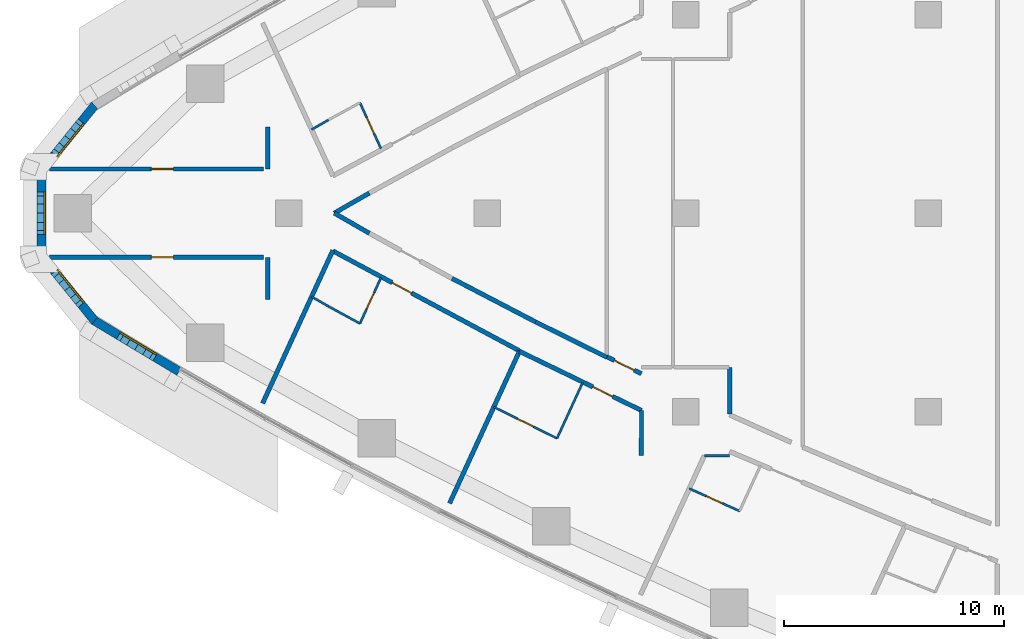
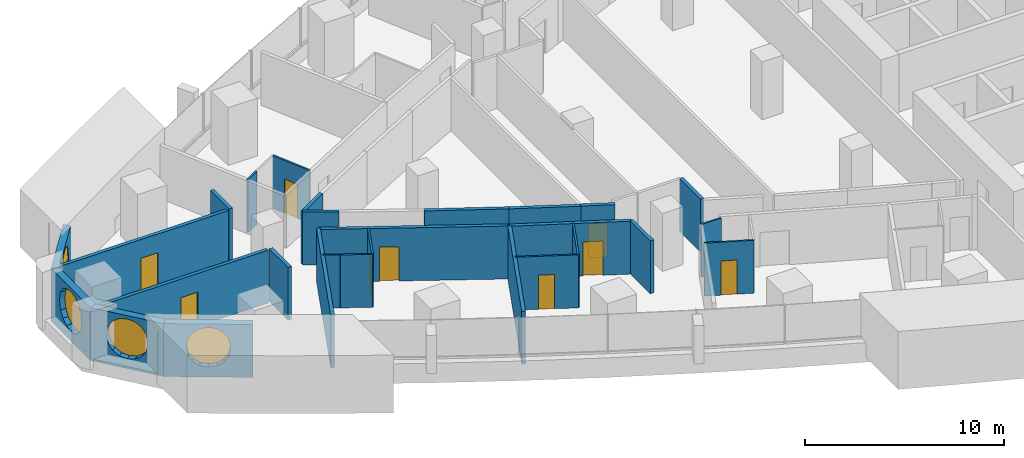
# One storey, part 8 of 17: 28 walls, 9 doors, 4 windows, 13 openings.
"""IFC4 building model written with IfcOpenShell, lengths in metres."""

import ifcopenshell
import ifcopenshell.guid

model = None  # the IFC model being written
_history = None  # IfcOwnerHistory: only IFC2X3 demands one
_inside = {}  # id of a spatial element -> (the spatial element, [elements in it])
_under = {}  # id of a project, library or spatial element -> (it, [spatial elements below it])
_declared = {}  # id of a project -> (the project, [libraries it declares])
_typed = {}  # id of a type object -> (the type object, [elements of that type])
_made_of = {}  # id of a material, layer set ... -> (it, [elements and type objects made of it])


def new_model(schema):
    """Start an empty IFC model of exactly this schema.

    Asked for "IFC4X3", IfcOpenShell would pick the latest addendum, in which some entities
    have other attributes; the version numbers below select the first issue.
    IFC2X3 requires an IfcOwnerHistory on every rooted entity: one is made here for all.
    """
    global model, _history
    if schema == "IFC4X3":
        model = ifcopenshell.file(schema_version=(4, 3, 0, 0))
    else:
        model = ifcopenshell.file(schema=schema)
    _inside.clear()
    _under.clear()
    _declared.clear()
    _typed.clear()
    _made_of.clear()
    _history = None
    if model.schema == "IFC2X3":
        org = make("IfcOrganization", Name="unknown")
        user = make(
            "IfcPersonAndOrganization",
            ThePerson=make("IfcPerson", FamilyName="unknown"),
            TheOrganization=org,
        )
        app = make(
            "IfcApplication",
            ApplicationDeveloper=org,
            Version="unknown",
            ApplicationFullName="unknown",
            ApplicationIdentifier="unknown",
        )
        _history = make(
            "IfcOwnerHistory",
            OwningUser=user,
            OwningApplication=app,
            ChangeAction="ADDED",
            CreationDate=0,
        )
    return model


def make(cls, **values):
    """One entity of the class cls with the attributes given. An attribute that is None is left unset."""
    return model.create_entity(
        cls, **{name: value for name, value in values.items() if value is not None}
    )


def rooted(cls, **values):
    """An entity with a GlobalId (a new one), such as an element, a storey or a relation."""
    return make(cls, GlobalId=ifcopenshell.guid.new(), OwnerHistory=_history, **values)


def si_unit(unit_type, name, prefix=None):
    """IfcSIUnit, for example si_unit("LENGTHUNIT", "METRE", prefix="MILLI")."""
    return make("IfcSIUnit", UnitType=unit_type, Prefix=prefix, Name=name)


def assignment(units):
    """IfcUnitAssignment: the units of a project."""
    return None if units is None else make("IfcUnitAssignment", Units=units)


def point(xyz):
    """IfcCartesianPoint."""
    return None if xyz is None else make("IfcCartesianPoint", Coordinates=xyz)


def direction(xyz):
    """IfcDirection."""
    return None if xyz is None else make("IfcDirection", DirectionRatios=xyz)


def frame(location, z_axis=None, x_axis=None):
    """IfcAxis2Placement3D, a coordinate frame: its origin and axes. An axis left out is left unset."""
    return make(
        "IfcAxis2Placement3D",
        Location=point(location),
        Axis=direction(z_axis),
        RefDirection=direction(x_axis),
    )


def frame_2d(location, x_axis=None):
    """IfcAxis2Placement2D, a coordinate frame in the plane: its origin and x axis."""
    return make(
        "IfcAxis2Placement2D", Location=point(location), RefDirection=direction(x_axis)
    )


def origin():
    """The frame at (0, 0, 0) with its axes left unset."""
    return frame((0.0, 0.0, 0.0))


def place(relative_to, where):
    """IfcLocalPlacement: puts the frame where relative to a parent placement (None: the world)."""
    return make(
        "IfcLocalPlacement", PlacementRelTo=relative_to, RelativePlacement=where
    )


def context(
    kind, dimensions, precision=None, world=None, true_north=None, identifier=None
):
    """IfcGeometricRepresentationContext, for example the 3D "Model" context."""
    return make(
        "IfcGeometricRepresentationContext",
        ContextIdentifier=identifier,
        ContextType=kind,
        CoordinateSpaceDimension=dimensions,
        Precision=precision,
        WorldCoordinateSystem=world,
        TrueNorth=true_north,
    )


def subcontext(parent, identifier, kind, view, scale=None):
    """IfcGeometricRepresentationSubContext, for example "Body" below "Model"."""
    return make(
        "IfcGeometricRepresentationSubContext",
        ContextIdentifier=identifier,
        ContextType=kind,
        ParentContext=parent,
        TargetScale=scale,
        TargetView=view,
    )


def project(units=None, contexts=None):
    """IfcProject with its units and contexts."""
    return rooted(
        "IfcProject",
        Name="project",
        RepresentationContexts=contexts,
        UnitsInContext=assignment(units),
    )


def spatial(cls, under=None, at=None, **own):
    """A site, building, storey or space (cls), placed at a placement, below another one or the project."""
    s = rooted(cls, ObjectPlacement=at, **own)
    if under is not None:
        _under.setdefault(under.id(), (under, []))[1].append(s)
    return s


def polyline(points):
    """IfcPolyline through the points."""
    return make("IfcPolyline", Points=[point(p) for p in points])


def profile(cls, at=None, kind="AREA", **sizes):
    """A parametric profile (cls). Its sizes go by their IFC names, for example OverallWidth=200.0."""
    return make(cls, ProfileType=kind, Position=at, **sizes)


def rectangle(**sizes):
    """IfcRectangleProfileDef."""
    return profile("IfcRectangleProfileDef", **sizes)


def outline(outer, holes=None, kind="AREA"):
    """IfcArbitraryClosedProfileDef: a profile drawn as a closed curve; with holes, ...WithVoids."""
    if holes is None:
        return make("IfcArbitraryClosedProfileDef", ProfileType=kind, OuterCurve=outer)
    return make(
        "IfcArbitraryProfileDefWithVoids",
        ProfileType=kind,
        OuterCurve=outer,
        InnerCurves=holes,
    )


def extrude(swept, where, along, depth):
    """IfcExtrudedAreaSolid: the profile swept, set in the frame where, extruded along a direction by depth."""
    return make(
        "IfcExtrudedAreaSolid",
        SweptArea=swept,
        Position=where,
        ExtrudedDirection=direction(along),
        Depth=depth,
    )


def shape(context_of_items, identifier, shape_type, items):
    """IfcShapeRepresentation: the items that make up one representation, for example the "Body"."""
    return make(
        "IfcShapeRepresentation",
        ContextOfItems=context_of_items,
        RepresentationIdentifier=identifier,
        RepresentationType=shape_type,
        Items=items,
    )


def material(Name=None, Category=None):
    """IfcMaterial."""
    return make("IfcMaterial", Name=Name, Category=Category)


def layer(
    of_material, thickness, ventilated=None, Name=None, Category=None, Priority=None
):
    """IfcMaterialLayer: one layer of a wall or slab, of a material (None: an air gap)."""
    return make(
        "IfcMaterialLayer",
        Material=of_material,
        LayerThickness=thickness,
        IsVentilated=ventilated,
        Name=Name,
        Category=Category,
        Priority=Priority,
    )


def layer_set(layers, Name=None):
    """IfcMaterialLayerSet."""
    return make("IfcMaterialLayerSet", MaterialLayers=layers, LayerSetName=Name)


def made_of(thing, what):
    """Note that an element or type object is made of a material, layer set ...; save() writes the relation."""
    if what is not None:
        _made_of.setdefault(what.id(), (what, []))[1].append(thing)
    return thing


def type_object(cls, material=None, **own):
    """A type object (cls), such as IfcWallType, which elements share."""
    return made_of(rooted(cls, **own), material)


def element(
    cls,
    number,
    at=None,
    inside=None,
    cuts=None,
    type_object=None,
    material=None,
    context=None,
    identifier="Body",
    shape_type=None,
    held_by="IfcProductDefinitionShape",
    body=None,
    shapes=None,
    **own,
):
    """One element of the class cls, such as IfcWall. Its Tag is "e" and its number.

    at: its placement. inside: the storey or other place that contains it. cuts: it is an
    opening in that element (IfcRelVoidsElement). A single representation is given by context,
    identifier, shape_type and body (its items); several are given by shapes. held_by: the class
    of the entity that holds the representations. save() writes the other relations.
    """
    e = rooted(cls, Tag="e%d" % number, ObjectPlacement=at, **own)
    if body is not None:
        shapes = [shape(context, identifier, shape_type, body)]
    if shapes is not None:
        e.Representation = make(held_by, Representations=shapes)
    if inside is not None:
        _inside.setdefault(inside.id(), (inside, []))[1].append(e)
    if cuts is not None:
        rooted(
            "IfcRelVoidsElement", RelatingBuildingElement=cuts, RelatedOpeningElement=e
        )
    if type_object is not None:
        _typed.setdefault(type_object.id(), (type_object, []))[1].append(e)
    return made_of(e, material)


def fill(opening, filler):
    """IfcRelFillsElement: the door or window that sits in an opening."""
    return rooted(
        "IfcRelFillsElement",
        RelatingOpeningElement=opening,
        RelatedBuildingElement=filler,
    )


def aggregate(whole, parts):
    """IfcRelAggregates: a whole, such as a stair, and the parts it consists of."""
    return rooted("IfcRelAggregates", RelatingObject=whole, RelatedObjects=parts)


def save(model, path):
    """Write the relations noted so far, then the file.

    IfcRelAggregates (storeys below a building ...), IfcRelContainedInSpatialStructure (elements
    in a storey), IfcRelDefinesByType, IfcRelAssociatesMaterial and IfcRelDeclares: one each for
    every whole, place, type object, material and project.
    """
    for whole, parts in _under.values():
        aggregate(whole, parts)
    for where, things in _inside.values():
        rooted(
            "IfcRelContainedInSpatialStructure",
            RelatedElements=things,
            RelatingStructure=where,
        )
    for kind, things in _typed.values():
        rooted("IfcRelDefinesByType", RelatedObjects=things, RelatingType=kind)
    for what, things in _made_of.values():
        rooted("IfcRelAssociatesMaterial", RelatedObjects=things, RelatingMaterial=what)
    for by, libraries in _declared.values():
        rooted("IfcRelDeclares", RelatingContext=by, RelatedDefinitions=libraries)
    model.write(path)


model = new_model("IFC4")

# Units and contexts
model_context = context("Model", 3, precision=1e-05, world=origin(), true_north=direction((0.0, 1.0)))
body_context = subcontext(model_context, "Body", "Model", "MODEL_VIEW")
ifc_project = project(units=[si_unit("LENGTHUNIT", "METRE"), si_unit("AREAUNIT", "SQUARE_METRE"), si_unit("VOLUMEUNIT", "CUBIC_METRE"), si_unit("PLANEANGLEUNIT", "RADIAN"), si_unit("MASSUNIT", "GRAM", prefix="KILO")], contexts=[model_context])

# Site, building, storey
site_placement = place(None, origin())
site = spatial("IfcSite", under=ifc_project, at=site_placement, CompositionType="ELEMENT")
building_placement = place(site_placement, origin())
building = spatial("IfcBuilding", under=site, at=building_placement, Name="Ostrand Prow Hotel Tower", CompositionType="ELEMENT")
storey_placement = place(building_placement, frame((0.0, 0.0, 92.0)))
storey = spatial("IfcBuildingStorey", under=building, at=storey_placement, Name="L21", CompositionType="ELEMENT", Elevation=92.0)

# Wall
ifc_material_1 = material(Name="Plasterboard partition")
ifc_layer_1 = layer(ifc_material_1, 0.10009765625)
ifc_layer_set_1 = layer_set([ifc_layer_1], Name="Plasterboard partition")
wall_type_1 = type_object("IfcWallType", Name="Partition 100 bathroom wall", PredefinedType="PARTITIONING", material=ifc_layer_set_1)
wall_1_placement = place(storey_placement, frame((17.0361328125, 3.7900390625, 0.0), z_axis=(0.0, 0.0, 1.0), x_axis=(0.867629162742, 0.497211862248, 0.0)))
element("IfcWall", 1, at=wall_1_placement, inside=storey, type_object=wall_type_1, Name="BATHROOM WALL", PredefinedType="PARTITIONING", context=body_context, shape_type="SweptSolid", body=[
    extrude(rectangle(XDim=0.8818359375, YDim=0.10009765625, at=frame_2d((0.44091796875, 0.0))), origin(), (0.0, 0.0, 1.0), 3.25),
])

# Wall, opening, door
wall_2_placement = place(storey_placement, frame((19.2275390625, 5.00830078125, 0.0), z_axis=(0.0, 0.0, 1.0), x_axis=(0.417450047292, -0.908699872354, 0.0)))
wall_2 = element("IfcWall", 2, at=wall_2_placement, inside=storey, type_object=wall_type_1, Name="BATHROOM WALL", PredefinedType="PARTITIONING", context=body_context, shape_type="SweptSolid", body=[
    extrude(rectangle(XDim=2.28271484375, YDim=0.10009765625, at=frame_2d((1.141357421875, 0.0))), origin(), (0.0, 0.0, 1.0), 3.25),
])
opening_1_placement = place(wall_2_placement, frame((0.75, 0.0, 0.0)))
opening_1 = element("IfcOpeningElement", 3, at=opening_1_placement, cuts=wall_2, Name="Opening D2", PredefinedType="OPENING", context=body_context, shape_type="SweptSolid", body=[
    extrude(rectangle(XDim=0.800048828125, YDim=2.10009765625, at=frame_2d((0.39990234375, 1.050048828125))), frame((0.0, 0.06005859375, 0.0), z_axis=(0.0, -1.0, 0.0), x_axis=(1.0, 0.0, 0.0)), (0.0, 0.0, 1.0), 0.1201171875),
])
ifc_material_2 = material(Name="Timber door leaf", Category="wood")
door_type_1 = type_object("IfcDoorType", Name="Bathroom door 800", OperationType="SINGLE_SWING_LEFT", PredefinedType="DOOR", material=ifc_material_2)
door_1_placement = place(opening_1_placement, origin())
door_1 = element("IfcDoor", 4, at=door_1_placement, inside=storey, type_object=door_type_1, Name="DOOR", OperationType="SINGLE_SWING_LEFT", OverallHeight=2.10009765625, OverallWidth=0.800048828125, PredefinedType="DOOR", context=body_context, shape_type="SweptSolid", body=[
    extrude(rectangle(XDim=0.800048828125, YDim=2.10009765625, at=frame_2d((0.39990234375, 1.050048828125))), frame((0.0, 0.02490234375, 0.0), z_axis=(0.0, -1.0, 0.0), x_axis=(1.0, 0.0, 0.0)), (0.0, 0.0, 1.0), 0.050048828125),
])
fill(opening_1, door_1)

wall_3_placement = place(storey_placement, frame((20.180419921875, -2.93408203125, 0.0), z_axis=(0.0, 0.0, 1.0), x_axis=(-0.417450047292, -0.908699872354, 0.0)))
wall_3 = element("IfcWall", 5, at=wall_3_placement, inside=storey, type_object=wall_type_1, Name="BATHROOM WALL", PredefinedType="PARTITIONING", context=body_context, shape_type="SweptSolid", body=[
    extrude(rectangle(XDim=2.28271484375, YDim=0.10009765625, at=frame_2d((1.141357421875, 0.0))), origin(), (0.0, 0.0, 1.0), 3.25),
])
opening_2_placement = place(wall_3_placement, frame((0.75, 0.0, 0.0)))
opening_2 = element("IfcOpeningElement", 6, at=opening_2_placement, cuts=wall_3, Name="Opening D2", PredefinedType="OPENING", context=body_context, shape_type="SweptSolid", body=[
    extrude(rectangle(XDim=0.800048828125, YDim=2.10009765625, at=frame_2d((0.39990234375, 1.050048828125))), frame((0.0, 0.06005859375, 0.0), z_axis=(0.0, -1.0, 0.0), x_axis=(1.0, 0.0, 0.0)), (0.0, 0.0, 1.0), 0.1201171875),
])
door_2_placement = place(opening_2_placement, origin())
door_2 = element("IfcDoor", 7, at=door_2_placement, inside=storey, type_object=door_type_1, Name="DOOR", OperationType="SINGLE_SWING_LEFT", OverallHeight=2.10009765625, OverallWidth=0.800048828125, PredefinedType="DOOR", context=body_context, shape_type="SweptSolid", body=[
    extrude(rectangle(XDim=0.800048828125, YDim=2.10009765625, at=frame_2d((0.39990234375, 1.050048828125))), frame((0.0, 0.02490234375, 0.0), z_axis=(0.0, -1.0, 0.0), x_axis=(1.0, 0.0, 0.0)), (0.0, 0.0, 1.0), 0.050048828125),
])
fill(opening_2, door_2)

# Walls
wall_4_placement = place(storey_placement, frame((19.2275390625, -5.00830078125, 0.0), z_axis=(0.0, 0.0, 1.0), x_axis=(-0.877424481957, 0.479714788663, 0.0)))
element("IfcWall", 8, at=wall_4_placement, inside=storey, type_object=wall_type_1, Name="BATHROOM WALL", PredefinedType="PARTITIONING", context=body_context, shape_type="SweptSolid", body=[
    extrude(rectangle(XDim=1.62548828125, YDim=0.10009765625, at=frame_2d((0.812744140625, 0.0))), origin(), (0.0, 0.0, 1.0), 3.25),
])
wall_5_placement = place(storey_placement, frame((17.80126953125, -4.228515625, 0.0), z_axis=(0.0, 0.0, 1.0), x_axis=(-0.867629162742, 0.497211862248, 0.0)))
element("IfcWall", 9, at=wall_5_placement, inside=storey, type_object=wall_type_1, Name="BATHROOM WALL", PredefinedType="PARTITIONING", context=body_context, shape_type="SweptSolid", body=[
    extrude(rectangle(XDim=0.8818359375, YDim=0.10009765625, at=frame_2d((0.44091796875, 0.0))), origin(), (0.0, 0.0, 1.0), 3.25),
])
wall_6_placement = place(storey_placement, frame((29.3291015625, -7.69287109375, 0.0), z_axis=(0.0, 0.0, 1.0), x_axis=(-0.417441335061, -0.908703874638, 0.0)))
element("IfcWall", 10, at=wall_6_placement, inside=storey, type_object=wall_type_1, Name="BATHROOM WALL", PredefinedType="PARTITIONING", context=body_context, shape_type="SweptSolid", body=[
    extrude(rectangle(XDim=2.778076171875, YDim=0.10009765625, at=frame_2d((1.38916015625, 0.0))), origin(), (0.0, 0.0, 1.0), 3.25),
])

# Wall, opening, door
wall_7_placement = place(storey_placement, frame((28.16943359375, -10.21728515625, 0.0), z_axis=(0.0, 0.0, 1.0), x_axis=(-0.895992652807, 0.444068875419, 0.0)))
wall_7 = element("IfcWall", 11, at=wall_7_placement, inside=storey, type_object=wall_type_1, Name="BATHROOM WALL", PredefinedType="PARTITIONING", context=body_context, shape_type="SweptSolid", body=[
    extrude(rectangle(XDim=3.201416015625, YDim=0.10009765625, at=frame_2d((1.6005859375, 0.0))), origin(), (0.0, 0.0, 1.0), 3.25),
])
opening_3_placement = place(wall_7_placement, frame((1.199951171875, 0.0, 0.0)))
opening_3 = element("IfcOpeningElement", 12, at=opening_3_placement, cuts=wall_7, Name="Opening D2", PredefinedType="OPENING", context=body_context, shape_type="SweptSolid", body=[
    extrude(rectangle(XDim=0.800048828125, YDim=2.10009765625, at=frame_2d((0.39990234375, 1.050048828125))), frame((0.0, 0.06005859375, 0.0), z_axis=(0.0, -1.0, 0.0), x_axis=(1.0, 0.0, 0.0)), (0.0, 0.0, 1.0), 0.1201171875),
])
door_3_placement = place(opening_3_placement, origin())
door_3 = element("IfcDoor", 13, at=door_3_placement, inside=storey, type_object=door_type_1, Name="DOOR", OperationType="SINGLE_SWING_LEFT", OverallHeight=2.10009765625, OverallWidth=0.800048828125, PredefinedType="DOOR", context=body_context, shape_type="SweptSolid", body=[
    extrude(rectangle(XDim=0.800048828125, YDim=2.10009765625, at=frame_2d((0.39990234375, 1.050048828125))), frame((0.0, 0.02490234375, 0.0), z_axis=(0.0, -1.0, 0.0), x_axis=(1.0, 0.0, 0.0)), (0.0, 0.0, 1.0), 0.050048828125),
])
fill(opening_3, door_3)

wall_8_placement = place(storey_placement, frame((36.44970703125, -13.5126953125, 0.0), z_axis=(0.0, 0.0, 1.0), x_axis=(-0.913016449487, 0.407922741417, 0.0)))
wall_8 = element("IfcWall", 14, at=wall_8_placement, inside=storey, type_object=wall_type_1, Name="BATHROOM WALL", PredefinedType="PARTITIONING", context=body_context, shape_type="SweptSolid", body=[
    extrude(rectangle(XDim=2.5, YDim=0.10009765625, at=frame_2d((1.25, 0.0))), origin(), (0.0, 0.0, 1.0), 3.25),
])
opening_4_placement = place(wall_8_placement, frame((0.85009765625, 0.0, 0.0)))
opening_4 = element("IfcOpeningElement", 15, at=opening_4_placement, cuts=wall_8, Name="Opening D2", PredefinedType="OPENING", context=body_context, shape_type="SweptSolid", body=[
    extrude(rectangle(XDim=0.800048828125, YDim=2.10009765625, at=frame_2d((0.39990234375, 1.050048828125))), frame((0.0, 0.06005859375, 0.0), z_axis=(0.0, -1.0, 0.0), x_axis=(1.0, 0.0, 0.0)), (0.0, 0.0, 1.0), 0.1201171875),
])
door_4_placement = place(opening_4_placement, origin())
door_4 = element("IfcDoor", 16, at=door_4_placement, inside=storey, type_object=door_type_1, Name="DOOR", OperationType="SINGLE_SWING_LEFT", OverallHeight=2.10009765625, OverallWidth=0.800048828125, PredefinedType="DOOR", context=body_context, shape_type="SweptSolid", body=[
    extrude(rectangle(XDim=0.800048828125, YDim=2.10009765625, at=frame_2d((0.39990234375, 1.050048828125))), frame((0.0, 0.02490234375, 0.0), z_axis=(0.0, -1.0, 0.0), x_axis=(1.0, 0.0, 0.0)), (0.0, 0.0, 1.0), 0.050048828125),
])
fill(opening_4, door_4)

# Wall
wall_9_placement = place(storey_placement, frame((34.8505859375, -11.0048828125, 0.0), z_axis=(0.0, 0.0, 1.0), x_axis=(1.0, 0.0, 0.0)))
element("IfcWall", 17, at=wall_9_placement, inside=storey, type_object=wall_type_1, Name="BATHROOM WALL", PredefinedType="PARTITIONING", context=body_context, shape_type="SweptSolid", body=[
    extrude(rectangle(XDim=1.150390625, YDim=0.10009765625, at=frame_2d((0.5751953125, 0.0))), origin(), (0.0, 0.0, 1.0), 3.25),
])

# Wall, opening, door
ifc_material_3 = material(Name="Plasterboard partition")
ifc_layer_2 = layer(ifc_material_3, 0.199951171875)
ifc_layer_set_2 = layer_set([ifc_layer_2], Name="Plasterboard partition")
wall_type_2 = type_object("IfcWallType", Name="Partition 200 corridor wall", PredefinedType="PARTITIONING", material=ifc_layer_set_2)
wall_10_placement = place(storey_placement, frame((5.144775390625, 2.0, 0.0), z_axis=(0.0, 0.0, 1.0), x_axis=(1.0, 0.0, 0.0)))
wall_10 = element("IfcWall", 18, at=wall_10_placement, inside=storey, type_object=wall_type_2, Name="CORRIDOR WALL", PredefinedType="PARTITIONING", context=body_context, shape_type="SweptSolid", body=[
    extrude(rectangle(XDim=9.708984375, YDim=0.199951171875, at=frame_2d((4.8544921875, 0.0))), origin(), (0.0, 0.0, 1.0), 3.25),
])
opening_5_placement = place(wall_10_placement, frame((4.624755859375, 0.0, 0.0)))
opening_5 = element("IfcOpeningElement", 19, at=opening_5_placement, cuts=wall_10, Name="Opening D1", PredefinedType="OPENING", context=body_context, shape_type="SweptSolid", body=[
    extrude(rectangle(XDim=1.0, YDim=2.10009765625, at=frame_2d((0.5, 1.050048828125))), frame((0.0, 0.10986328125, 0.0), z_axis=(0.0, -1.0, 0.0), x_axis=(1.0, 0.0, 0.0)), (0.0, 0.0, 1.0), 0.219970703125),
])
ifc_material_4 = material(Name="Timber door leaf", Category="wood")
door_type_2 = type_object("IfcDoorType", Name="Guest room door 1000", OperationType="SINGLE_SWING_LEFT", PredefinedType="DOOR", material=ifc_material_4)
door_5_placement = place(opening_5_placement, origin())
door_5 = element("IfcDoor", 20, at=door_5_placement, inside=storey, type_object=door_type_2, Name="DOOR", OperationType="SINGLE_SWING_LEFT", OverallHeight=2.10009765625, OverallWidth=1.0, PredefinedType="DOOR", context=body_context, shape_type="SweptSolid", body=[
    extrude(rectangle(XDim=1.0, YDim=2.10009765625, at=frame_2d((0.5, 1.050048828125))), frame((0.0, 0.02490234375, 0.0), z_axis=(0.0, -1.0, 0.0), x_axis=(1.0, 0.0, 0.0)), (0.0, 0.0, 1.0), 0.050048828125),
])
fill(opening_5, door_5)

wall_11_placement = place(storey_placement, frame((5.144775390625, -2.0, 0.0), z_axis=(0.0, 0.0, 1.0), x_axis=(1.0, 0.0, 0.0)))
wall_11 = element("IfcWall", 21, at=wall_11_placement, inside=storey, type_object=wall_type_2, Name="CORRIDOR WALL", PredefinedType="PARTITIONING", context=body_context, shape_type="SweptSolid", body=[
    extrude(rectangle(XDim=9.708984375, YDim=0.199951171875, at=frame_2d((4.8544921875, 0.0))), origin(), (0.0, 0.0, 1.0), 3.25),
])
opening_6_placement = place(wall_11_placement, frame((4.624755859375, 0.0, 0.0)))
opening_6 = element("IfcOpeningElement", 22, at=opening_6_placement, cuts=wall_11, Name="Opening D1R", PredefinedType="OPENING", context=body_context, shape_type="SweptSolid", body=[
    extrude(rectangle(XDim=1.0, YDim=2.10009765625, at=frame_2d((0.5, 1.050048828125))), frame((0.0, 0.10986328125, 0.0), z_axis=(0.0, -1.0, 0.0), x_axis=(1.0, 0.0, 0.0)), (0.0, 0.0, 1.0), 0.219970703125),
])
ifc_material_5 = material(Name="Timber door leaf", Category="wood")
door_type_3 = type_object("IfcDoorType", Name="Guest room door 1000 right", OperationType="SINGLE_SWING_RIGHT", PredefinedType="DOOR", material=ifc_material_5)
door_6_placement = place(opening_6_placement, origin())
door_6 = element("IfcDoor", 23, at=door_6_placement, inside=storey, type_object=door_type_3, Name="DOOR", OperationType="SINGLE_SWING_RIGHT", OverallHeight=2.10009765625, OverallWidth=1.0, PredefinedType="DOOR", context=body_context, shape_type="SweptSolid", body=[
    extrude(rectangle(XDim=1.0, YDim=2.10009765625, at=frame_2d((0.5, 1.050048828125))), frame((0.0, 0.02490234375, 0.0), z_axis=(0.0, -1.0, 0.0), x_axis=(1.0, 0.0, 0.0)), (0.0, 0.0, 1.0), 0.050048828125),
])
fill(opening_6, door_6)

wall_12_placement = place(storey_placement, frame((18.0, -1.714599609375, 0.0), z_axis=(0.0, 0.0, 1.0), x_axis=(0.881618942915, -0.471961904706, 0.0)))
wall_12 = element("IfcWall", 24, at=wall_12_placement, inside=storey, type_object=wall_type_2, Name="CORRIDOR WALL", PredefinedType="PARTITIONING", context=body_context, shape_type="SweptSolid", body=[
    extrude(rectangle(XDim=9.608154296875, YDim=0.199951171875, at=frame_2d((4.80419921875, 0.0))), origin(), (0.0, 0.0, 1.0), 3.25),
])
opening_7_placement = place(wall_12_placement, frame((3.050048828125, 0.0, 0.0)))
opening_7 = element("IfcOpeningElement", 25, at=opening_7_placement, cuts=wall_12, Name="Opening D1", PredefinedType="OPENING", context=body_context, shape_type="SweptSolid", body=[
    extrude(rectangle(XDim=1.0, YDim=2.10009765625, at=frame_2d((0.5, 1.050048828125))), frame((0.0, 0.10986328125, 0.0), z_axis=(0.0, -1.0, 0.0), x_axis=(1.0, 0.0, 0.0)), (0.0, 0.0, 1.0), 0.219970703125),
])
door_7_placement = place(opening_7_placement, origin())
door_7 = element("IfcDoor", 26, at=door_7_placement, inside=storey, type_object=door_type_2, Name="DOOR", OperationType="SINGLE_SWING_LEFT", OverallHeight=2.10009765625, OverallWidth=1.0, PredefinedType="DOOR", context=body_context, shape_type="SweptSolid", body=[
    extrude(rectangle(XDim=1.0, YDim=2.10009765625, at=frame_2d((0.5, 1.050048828125))), frame((0.0, 0.02490234375, 0.0), z_axis=(0.0, -1.0, 0.0), x_axis=(1.0, 0.0, 0.0)), (0.0, 0.0, 1.0), 0.050048828125),
])
fill(opening_7, door_7)

wall_13_placement = place(storey_placement, frame((26.46240234375, -6.267333984375, 0.0), z_axis=(0.0, 0.0, 1.0), x_axis=(0.899897156619, -0.436102175538, 0.0)))
wall_13 = element("IfcWall", 27, at=wall_13_placement, inside=storey, type_object=wall_type_2, Name="CORRIDOR WALL", PredefinedType="PARTITIONING", context=body_context, shape_type="SweptSolid", body=[
    extrude(rectangle(XDim=6.153564453125, YDim=0.199951171875, at=frame_2d((3.07666015625, 0.0))), origin(), (0.0, 0.0, 1.0), 3.25),
])
opening_8_placement = place(wall_13_placement, frame((3.699951171875, 0.0, 0.0)))
opening_8 = element("IfcOpeningElement", 28, at=opening_8_placement, cuts=wall_13, Name="Opening D1", PredefinedType="OPENING", context=body_context, shape_type="SweptSolid", body=[
    extrude(rectangle(XDim=1.0, YDim=2.10009765625, at=frame_2d((0.5, 1.050048828125))), frame((0.0, 0.10986328125, 0.0), z_axis=(0.0, -1.0, 0.0), x_axis=(1.0, 0.0, 0.0)), (0.0, 0.0, 1.0), 0.219970703125),
])
door_8_placement = place(opening_8_placement, origin())
door_8 = element("IfcDoor", 29, at=door_8_placement, inside=storey, type_object=door_type_2, Name="DOOR", OperationType="SINGLE_SWING_LEFT", OverallHeight=2.10009765625, OverallWidth=1.0, PredefinedType="DOOR", context=body_context, shape_type="SweptSolid", body=[
    extrude(rectangle(XDim=1.0, YDim=2.10009765625, at=frame_2d((0.5, 1.050048828125))), frame((0.0, 0.02490234375, 0.0), z_axis=(0.0, -1.0, 0.0), x_axis=(1.0, 0.0, 0.0)), (0.0, 0.0, 1.0), 0.050048828125),
])
fill(opening_8, door_8)

# Walls
wall_14_placement = place(storey_placement, frame((30.4296875, -6.53857421875, 0.0), z_axis=(0.0, 0.0, 1.0), x_axis=(-0.895964304417, 0.44412606905, 0.0)))
element("IfcWall", 30, at=wall_14_placement, inside=storey, type_object=wall_type_2, Name="CORRIDOR WALL", PredefinedType="PARTITIONING", context=body_context, shape_type="SweptSolid", body=[
    extrude(rectangle(XDim=3.60888671875, YDim=0.199951171875, at=frame_2d((1.804443359375, 0.0))), origin(), (0.0, 0.0, 1.0), 3.25),
])
wall_15_placement = place(storey_placement, frame((27.1962890625, -4.935791015625, 0.0), z_axis=(0.0, 0.0, 1.0), x_axis=(-0.886899452904, 0.461962509775, 0.0)))
element("IfcWall", 31, at=wall_15_placement, inside=storey, type_object=wall_type_2, Name="CORRIDOR WALL", PredefinedType="PARTITIONING", context=body_context, shape_type="SweptSolid", body=[
    extrude(rectangle(XDim=4.272705078125, YDim=0.199951171875, at=frame_2d((2.13623046875, 0.0))), origin(), (0.0, 0.0, 1.0), 3.25),
])
for number, where, z_axis, x_axis, name in (
    (32, (19.6572265625, -0.912353515625, 0.0), (0.0, 0.0, 1.0), (-0.867694156962, 0.49709843087, 0.0), "CORRIDOR WALL"),
    (33, (18.064697265625, 0.0, 0.0), (0.0, 0.0, 1.0), (0.867694156962, 0.49709843087, 0.0), "CORRIDOR WALL"),
):
    element("IfcWall", number, at=place(storey_placement, frame(where, z_axis=z_axis, x_axis=x_axis)), inside=storey, type_object=wall_type_2, Name=name, PredefinedType="PARTITIONING", context=body_context, shape_type="SweptSolid", body=[
        extrude(rectangle(XDim=1.83544921875, YDim=0.199951171875, at=frame_2d((0.917724609375, 0.0))), origin(), (0.0, 0.0, 1.0), 3.25),
    ])

# Wall, opening, door
wall_16_placement = place(storey_placement, frame((31.9951171875, -7.284912109375, 0.0), z_axis=(0.0, 0.0, 1.0), x_axis=(-0.897771601508, 0.440461294015, 0.0)))
wall_16 = element("IfcWall", 34, at=wall_16_placement, inside=storey, type_object=wall_type_2, Name="CORRIDOR WALL", PredefinedType="PARTITIONING", context=body_context, shape_type="SweptSolid", body=[
    extrude(rectangle(XDim=1.73876953125, YDim=0.199951171875, at=frame_2d((0.869384765625, 0.0))), origin(), (0.0, 0.0, 1.0), 3.25),
])
opening_9_placement = place(wall_16_placement, frame((0.369384765625, 0.0, 0.0)))
opening_9 = element("IfcOpeningElement", 35, at=opening_9_placement, cuts=wall_16, Name="Opening D1", PredefinedType="OPENING", context=body_context, shape_type="SweptSolid", body=[
    extrude(rectangle(XDim=1.0, YDim=2.10009765625, at=frame_2d((0.5, 1.050048828125))), frame((0.0, 0.10986328125, 0.0), z_axis=(0.0, -1.0, 0.0), x_axis=(1.0, 0.0, 0.0)), (0.0, 0.0, 1.0), 0.219970703125),
])
door_9_placement = place(opening_9_placement, origin())
door_9 = element("IfcDoor", 36, at=door_9_placement, inside=storey, type_object=door_type_2, Name="DOOR", OperationType="SINGLE_SWING_LEFT", OverallHeight=2.10009765625, OverallWidth=1.0, PredefinedType="DOOR", context=body_context, shape_type="SweptSolid", body=[
    extrude(rectangle(XDim=1.0, YDim=2.10009765625, at=frame_2d((0.5, 1.050048828125))), frame((0.0, 0.02490234375, 0.0), z_axis=(0.0, -1.0, 0.0), x_axis=(1.0, 0.0, 0.0)), (0.0, 0.0, 1.0), 0.050048828125),
])
fill(opening_9, door_9)

# Walls
wall_17_placement = place(storey_placement, frame((36.0048828125, -9.110107421875, 0.0), z_axis=(0.0, 0.0, 1.0), x_axis=(-0.001039260409, 0.999999459969, 0.0)))
element("IfcWall", 37, at=wall_17_placement, inside=storey, type_object=wall_type_2, Name="CORRIDOR WALL", PredefinedType="PARTITIONING", context=body_context, shape_type="SweptSolid", body=[
    extrude(rectangle(XDim=2.1142578125, YDim=0.199951171875, at=frame_2d((1.05712890625, 0.0))), origin(), (0.0, 0.0, 1.0), 3.25),
])
wall_18_placement = place(storey_placement, frame((15.0537109375, 3.90869140625, 0.0), z_axis=(0.0, 0.0, 1.0), x_axis=(0.0, -1.0, 0.0)))
element("IfcWall", 38, at=wall_18_placement, inside=storey, type_object=wall_type_2, Name="CORRIDOR WALL", PredefinedType="PARTITIONING", context=body_context, shape_type="SweptSolid", body=[
    extrude(rectangle(XDim=1.90380859375, YDim=0.199951171875, at=frame_2d((0.951904296875, 0.0))), origin(), (0.0, 0.0, 1.0), 3.25),
])
wall_19_placement = place(storey_placement, frame((15.0537109375, -2.0048828125, 0.0), z_axis=(0.0, 0.0, 1.0), x_axis=(0.0, -1.0, 0.0)))
element("IfcWall", 39, at=wall_19_placement, inside=storey, type_object=wall_type_2, Name="CORRIDOR WALL", PredefinedType="PARTITIONING", context=body_context, shape_type="SweptSolid", body=[
    extrude(rectangle(XDim=1.908447265625, YDim=0.199951171875, at=frame_2d((0.9541015625, 0.0))), origin(), (0.0, 0.0, 1.0), 3.25),
])
wall_20_placement = place(storey_placement, frame((32.0, -8.950927734375, 0.0), z_axis=(0.0, 0.0, 1.0), x_axis=(-0.001188918432, -0.999999293236, 0.0)))
element("IfcWall", 40, at=wall_20_placement, inside=storey, type_object=wall_type_2, Name="CORRIDOR WALL", PredefinedType="PARTITIONING", context=body_context, shape_type="SweptSolid", body=[
    extrude(rectangle(XDim=2.053466796875, YDim=0.199951171875, at=frame_2d((1.02685546875, 0.0))), origin(), (0.0, 0.0, 1.0), 3.25),
])
ifc_material_6 = material(Name="Plasterboard partition")
ifc_layer_3 = layer(ifc_material_6, 0.199951171875)
ifc_layer_set_3 = layer_set([ifc_layer_3], Name="Plasterboard partition")
wall_type_3 = type_object("IfcWallType", Name="Partition 200 key partition", PredefinedType="PARTITIONING", material=ifc_layer_set_3)
wall_21_placement = place(storey_placement, frame((14.814697265625, -8.625732421875, 0.0), z_axis=(0.0, 0.0, 1.0), x_axis=(0.417432341259, 0.908708006166, 0.0)))
element("IfcWall", 41, at=wall_21_placement, inside=storey, type_object=wall_type_3, Name="KEY PARTITION", PredefinedType="PARTITIONING", context=body_context, shape_type="SweptSolid", body=[
    extrude(rectangle(XDim=7.630615234375, YDim=0.199951171875, at=frame_2d((3.8154296875, 0.0))), origin(), (0.0, 0.0, 1.0), 3.25),
])
wall_22_placement = place(storey_placement, frame((23.29638671875, -13.159423828125, 0.0), z_axis=(0.0, 0.0, 1.0), x_axis=(0.417432822903, 0.908707784914, 0.0)))
element("IfcWall", 42, at=wall_22_placement, inside=storey, type_object=wall_type_3, Name="KEY PARTITION", PredefinedType="PARTITIONING", context=body_context, shape_type="SweptSolid", body=[
    extrude(rectangle(XDim=7.6044921875, YDim=0.199951171875, at=frame_2d((3.80224609375, 0.0))), origin(), (0.0, 0.0, 1.0), 3.25),
])

# Wall, opening, window
ifc_material_7 = material(Name="Precast concrete C40/50", Category="concrete")
ifc_layer_4 = layer(ifc_material_7, 0.39990234375)
ifc_layer_set_4 = layer_set([ifc_layer_4], Name="Precast concrete C40/50")
wall_type_4 = type_object("IfcWallType", Name="Stone-faced precast wall 400 mm", PredefinedType="NOTDEFINED", material=ifc_layer_set_4)
wall_23_placement = place(storey_placement, frame((7.1943359375, 4.8876953125, 0.0), z_axis=(0.0, 0.0, 1.0), x_axis=(-0.62903486133, -0.777377092042, 0.0)))
wall_23 = element("IfcWall", 43, at=wall_23_placement, inside=storey, type_object=wall_type_4, Name="Stone-faced wall prow 2", PredefinedType="NOTDEFINED", context=body_context, shape_type="SweptSolid", body=[
    extrude(outline(polyline([(-0.035400390625, -0.199951171875), (3.897216796875, -0.199951171875), (3.755615234375, 0.199951171875), (0.035400390625, 0.199951171875), (-0.035400390625, -0.199951171875)])), origin(), (0.0, 0.0, 1.0), 3.25),
])
opening_10_placement = place(wall_23_placement, frame((0.813232421875, 0.0, 0.60009765625)))
opening_10 = element("IfcOpeningElement", 44, at=opening_10_placement, cuts=wall_23, Name="Opening WP1", PredefinedType="OPENING", context=body_context, shape_type="SweptSolid", body=[
    extrude(outline(polyline([(0.0, 1.35009765625), (0.083740234375, 1.77099609375), (0.322265625, 2.127685546875), (0.678955078125, 2.3662109375), (1.10009765625, 2.449951171875), (1.52099609375, 2.3662109375), (1.877685546875, 2.127685546875), (2.1162109375, 1.77099609375), (2.199951171875, 1.35009765625), (2.199951171875, 1.10009765625), (2.1162109375, 0.678955078125), (1.877685546875, 0.322265625), (1.52099609375, 0.083740234375), (1.10009765625, 0.0), (0.678955078125, 0.083740234375), (0.322265625, 0.322265625), (0.083740234375, 0.678955078125), (0.0, 1.099853515625), (0.0, 1.35009765625)])), frame((0.0, 0.2099609375, 0.0), z_axis=(0.0, -1.0, 0.0), x_axis=(1.0, 0.0, 0.0)), (0.0, 0.0, 1.0), 0.419921875),
])
ifc_material_8 = material(Name="Insulated glass in bronze frame", Category="glass")
window_type = type_object("IfcWindowType", Name="Round-ended prow window 2200x2450", PartitioningType="SINGLE_PANEL", PredefinedType="WINDOW", material=ifc_material_8)
window_1_placement = place(opening_10_placement, origin())
window_1 = element("IfcWindow", 45, at=window_1_placement, inside=storey, type_object=window_type, Name="Window prow 2.1", OverallHeight=2.449951171875, OverallWidth=2.199951171875, PartitioningType="SINGLE_PANEL", PredefinedType="WINDOW", context=body_context, shape_type="SweptSolid", body=[
    extrude(outline(polyline([(0.0, 1.35009765625), (0.083740234375, 1.77099609375), (0.322265625, 2.127685546875), (0.678955078125, 2.3662109375), (1.10009765625, 2.449951171875), (1.52099609375, 2.3662109375), (1.877685546875, 2.127685546875), (2.1162109375, 1.77099609375), (2.199951171875, 1.35009765625), (2.199951171875, 1.10009765625), (2.1162109375, 0.678955078125), (1.877685546875, 0.322265625), (1.52099609375, 0.083740234375), (1.10009765625, 0.0), (0.678955078125, 0.083740234375), (0.322265625, 0.322265625), (0.083740234375, 0.678955078125), (0.0, 1.099853515625), (0.0, 1.35009765625)])), frame((0.0, 0.169921875, 0.0), z_axis=(0.0, -1.0, 0.0), x_axis=(1.0, 0.0, 0.0)), (0.0, 0.0, 1.0), 0.06005859375),
])
fill(opening_10, window_1)

wall_24_placement = place(storey_placement, frame((4.787353515625, 1.9130859375, 0.0), z_axis=(0.0, 0.0, 1.0), x_axis=(0.0, -1.0, 0.0)))
wall_24 = element("IfcWall", 46, at=wall_24_placement, inside=storey, type_object=wall_type_4, Name="Stone-faced wall prow 3", PredefinedType="NOTDEFINED", context=body_context, shape_type="SweptSolid", body=[
    extrude(outline(polyline([(-0.07080078125, -0.199951171875), (3.89697265625, -0.199951171875), (3.75537109375, 0.199951171875), (0.07080078125, 0.199951171875), (-0.07080078125, -0.199951171875)])), origin(), (0.0, 0.0, 1.0), 3.25),
])
opening_11_placement = place(wall_24_placement, frame((0.813232421875, 0.0, 0.60009765625)))
opening_11 = element("IfcOpeningElement", 47, at=opening_11_placement, cuts=wall_24, Name="Opening WP1", PredefinedType="OPENING", context=body_context, shape_type="SweptSolid", body=[
    extrude(outline(polyline([(0.0, 1.35009765625), (0.083740234375, 1.77099609375), (0.322265625, 2.127685546875), (0.678955078125, 2.3662109375), (1.10009765625, 2.449951171875), (1.52099609375, 2.3662109375), (1.877685546875, 2.127685546875), (2.1162109375, 1.77099609375), (2.199951171875, 1.35009765625), (2.199951171875, 1.10009765625), (2.1162109375, 0.678955078125), (1.877685546875, 0.322265625), (1.52099609375, 0.083740234375), (1.10009765625, 0.0), (0.678955078125, 0.083740234375), (0.322265625, 0.322265625), (0.083740234375, 0.678955078125), (0.0, 1.099853515625), (0.0, 1.35009765625)])), frame((0.0, 0.2099609375, 0.0), z_axis=(0.0, -1.0, 0.0), x_axis=(1.0, 0.0, 0.0)), (0.0, 0.0, 1.0), 0.419921875),
])
window_2_placement = place(opening_11_placement, origin())
window_2 = element("IfcWindow", 48, at=window_2_placement, inside=storey, type_object=window_type, Name="Window prow 3.1", OverallHeight=2.449951171875, OverallWidth=2.199951171875, PartitioningType="SINGLE_PANEL", PredefinedType="WINDOW", context=body_context, shape_type="SweptSolid", body=[
    extrude(outline(polyline([(0.0, 1.35009765625), (0.083740234375, 1.77099609375), (0.322265625, 2.127685546875), (0.678955078125, 2.3662109375), (1.10009765625, 2.449951171875), (1.52099609375, 2.3662109375), (1.877685546875, 2.127685546875), (2.1162109375, 1.77099609375), (2.199951171875, 1.35009765625), (2.199951171875, 1.10009765625), (2.1162109375, 0.678955078125), (1.877685546875, 0.322265625), (1.52099609375, 0.083740234375), (1.10009765625, 0.0), (0.678955078125, 0.083740234375), (0.322265625, 0.322265625), (0.083740234375, 0.678955078125), (0.0, 1.099853515625), (0.0, 1.35009765625)])), frame((0.0, 0.169921875, 0.0), z_axis=(0.0, -1.0, 0.0), x_axis=(1.0, 0.0, 0.0)), (0.0, 0.0, 1.0), 0.06005859375),
])
fill(opening_11, window_2)

wall_25_placement = place(storey_placement, frame((4.787353515625, -1.9130859375, 0.0), z_axis=(0.0, 0.0, 1.0), x_axis=(0.62903486133, -0.777377092042, 0.0)))
wall_25 = element("IfcWall", 49, at=wall_25_placement, inside=storey, type_object=wall_type_4, Name="Stone-faced wall prow 4", PredefinedType="NOTDEFINED", context=body_context, shape_type="SweptSolid", body=[
    extrude(outline(polyline([(-0.07080078125, -0.199951171875), (3.86181640625, -0.199951171875), (3.791015625, 0.199951171875), (0.07080078125, 0.199951171875), (-0.07080078125, -0.199951171875)])), origin(), (0.0, 0.0, 1.0), 3.25),
])
opening_12_placement = place(wall_25_placement, frame((0.813232421875, 0.0, 0.60009765625)))
opening_12 = element("IfcOpeningElement", 50, at=opening_12_placement, cuts=wall_25, Name="Opening WP1", PredefinedType="OPENING", context=body_context, shape_type="SweptSolid", body=[
    extrude(outline(polyline([(0.0, 1.35009765625), (0.083740234375, 1.77099609375), (0.322265625, 2.127685546875), (0.678955078125, 2.3662109375), (1.10009765625, 2.449951171875), (1.52099609375, 2.3662109375), (1.877685546875, 2.127685546875), (2.1162109375, 1.77099609375), (2.199951171875, 1.35009765625), (2.199951171875, 1.10009765625), (2.1162109375, 0.678955078125), (1.877685546875, 0.322265625), (1.52099609375, 0.083740234375), (1.10009765625, 0.0), (0.678955078125, 0.083740234375), (0.322265625, 0.322265625), (0.083740234375, 0.678955078125), (0.0, 1.099853515625), (0.0, 1.35009765625)])), frame((0.0, 0.2099609375, 0.0), z_axis=(0.0, -1.0, 0.0), x_axis=(1.0, 0.0, 0.0)), (0.0, 0.0, 1.0), 0.419921875),
])
window_3_placement = place(opening_12_placement, origin())
window_3 = element("IfcWindow", 51, at=window_3_placement, inside=storey, type_object=window_type, Name="Window prow 4.1", OverallHeight=2.449951171875, OverallWidth=2.199951171875, PartitioningType="SINGLE_PANEL", PredefinedType="WINDOW", context=body_context, shape_type="SweptSolid", body=[
    extrude(outline(polyline([(0.0, 1.35009765625), (0.083740234375, 1.77099609375), (0.322265625, 2.127685546875), (0.678955078125, 2.3662109375), (1.10009765625, 2.449951171875), (1.52099609375, 2.3662109375), (1.877685546875, 2.127685546875), (2.1162109375, 1.77099609375), (2.199951171875, 1.35009765625), (2.199951171875, 1.10009765625), (2.1162109375, 0.678955078125), (1.877685546875, 0.322265625), (1.52099609375, 0.083740234375), (1.10009765625, 0.0), (0.678955078125, 0.083740234375), (0.322265625, 0.322265625), (0.083740234375, 0.678955078125), (0.0, 1.099853515625), (0.0, 1.35009765625)])), frame((0.0, 0.169921875, 0.0), z_axis=(0.0, -1.0, 0.0), x_axis=(1.0, 0.0, 0.0)), (0.0, 0.0, 1.0), 0.06005859375),
])
fill(opening_12, window_3)

wall_26_placement = place(storey_placement, frame((7.1943359375, -4.8876953125, 0.0), z_axis=(0.0, 0.0, 1.0), x_axis=(0.857550776474, -0.514399325202, 0.0)))
wall_26 = element("IfcWall", 52, at=wall_26_placement, inside=storey, type_object=wall_type_4, Name="Stone-faced wall prow 5", PredefinedType="NOTDEFINED", context=body_context, shape_type="SweptSolid", body=[
    extrude(outline(polyline([(-0.035400390625, -0.199951171875), (4.468017578125, -0.199951171875), (4.468017578125, 0.199951171875), (0.035400390625, 0.199951171875), (-0.035400390625, -0.199951171875)])), origin(), (0.0, 0.0, 1.0), 3.25),
])
opening_13_placement = place(wall_26_placement, frame((1.134033203125, 0.0, 0.60009765625)))
opening_13 = element("IfcOpeningElement", 53, at=opening_13_placement, cuts=wall_26, Name="Opening WP1", PredefinedType="OPENING", context=body_context, shape_type="SweptSolid", body=[
    extrude(outline(polyline([(0.0, 1.35009765625), (0.083740234375, 1.77099609375), (0.322265625, 2.127685546875), (0.678955078125, 2.3662109375), (1.10009765625, 2.449951171875), (1.52099609375, 2.3662109375), (1.877685546875, 2.127685546875), (2.1162109375, 1.77099609375), (2.199951171875, 1.35009765625), (2.199951171875, 1.10009765625), (2.1162109375, 0.678955078125), (1.877685546875, 0.322265625), (1.52099609375, 0.083740234375), (1.10009765625, 0.0), (0.678955078125, 0.083740234375), (0.322265625, 0.322265625), (0.083740234375, 0.678955078125), (0.0, 1.099853515625), (0.0, 1.35009765625)])), frame((0.0, 0.2099609375, 0.0), z_axis=(0.0, -1.0, 0.0), x_axis=(1.0, 0.0, 0.0)), (0.0, 0.0, 1.0), 0.419921875),
])
window_4_placement = place(opening_13_placement, origin())
window_4 = element("IfcWindow", 54, at=window_4_placement, inside=storey, type_object=window_type, Name="Window prow 5.1", OverallHeight=2.449951171875, OverallWidth=2.199951171875, PartitioningType="SINGLE_PANEL", PredefinedType="WINDOW", context=body_context, shape_type="SweptSolid", body=[
    extrude(outline(polyline([(0.0, 1.35009765625), (0.083740234375, 1.77099609375), (0.322265625, 2.127685546875), (0.678955078125, 2.3662109375), (1.10009765625, 2.449951171875), (1.52099609375, 2.3662109375), (1.877685546875, 2.127685546875), (2.1162109375, 1.77099609375), (2.199951171875, 1.35009765625), (2.199951171875, 1.10009765625), (2.1162109375, 0.678955078125), (1.877685546875, 0.322265625), (1.52099609375, 0.083740234375), (1.10009765625, 0.0), (0.678955078125, 0.083740234375), (0.322265625, 0.322265625), (0.083740234375, 0.678955078125), (0.0, 1.099853515625), (0.0, 1.35009765625)])), frame((0.0, 0.169921875, 0.0), z_axis=(0.0, -1.0, 0.0), x_axis=(1.0, 0.0, 0.0)), (0.0, 0.0, 1.0), 0.06005859375),
])
fill(opening_13, window_4)

save(model, "model.ifc")
